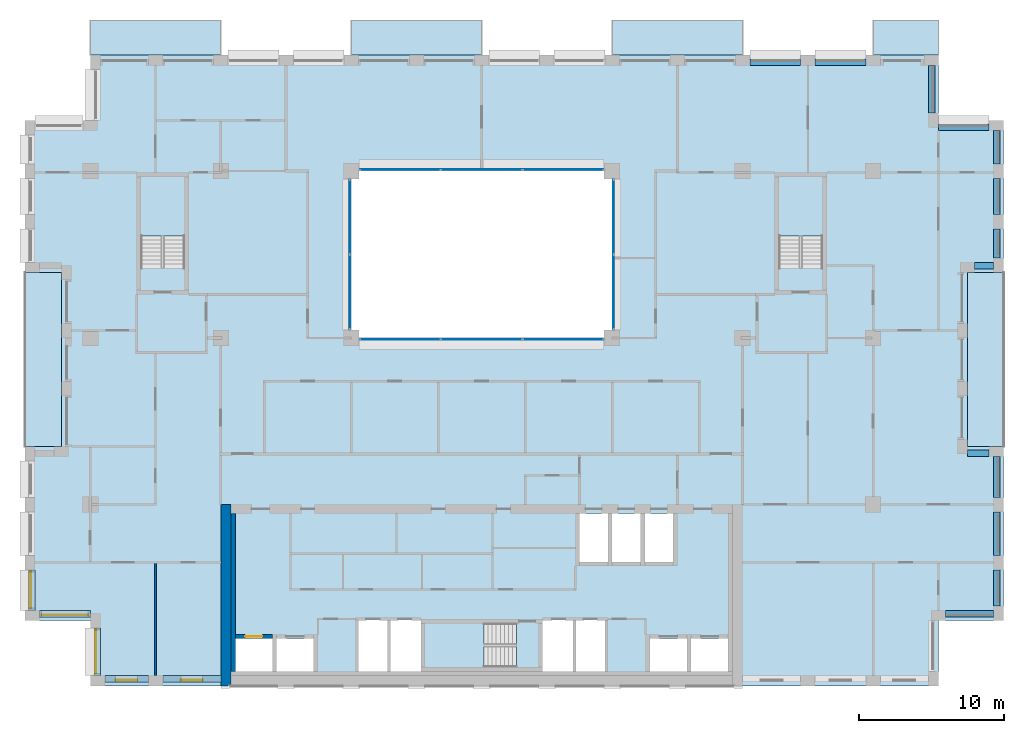
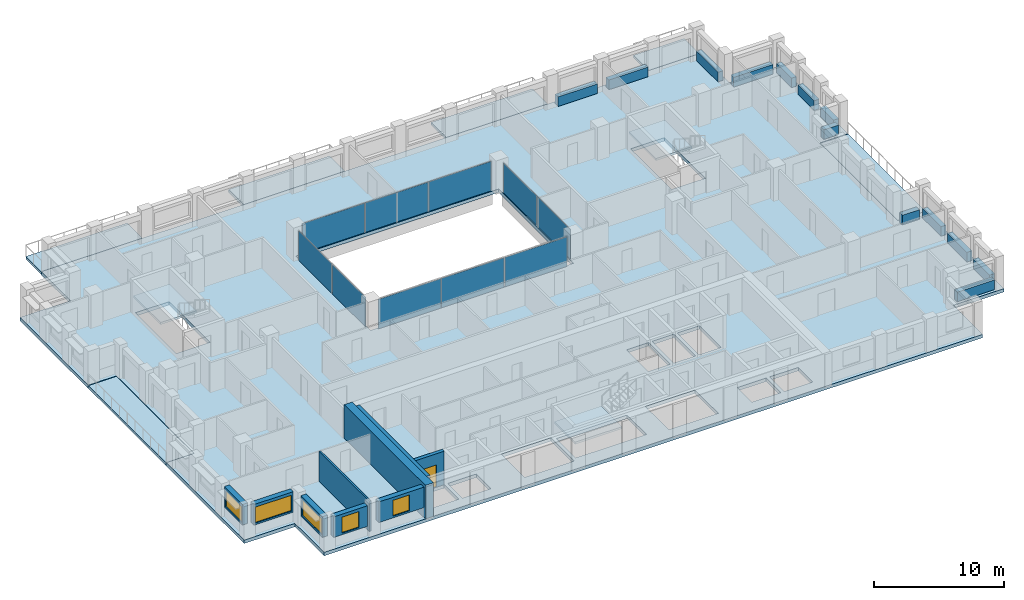
# One storey, part 7 of 16: 13 beams, 10 plates, 10 slabs, 9 walls, 5 windows, 1 door, 6 openings, 7 elements without a shape of their own.
"""IFC4 building model written with IfcOpenShell, lengths in metres."""

from ifc_helpers import new_model, si_unit, direction, frame, frame_2d, origin, origin_2d, place, context, subcontext, project, spatial, polyline, rectangle, outline, extrude, material, layer, layer_set, material_profile, profile_set, type_object, element, fill, aggregate, save


model = new_model("IFC4")

# Units and contexts
model_context = context("Model", 3, precision=1e-05, world=origin(), true_north=direction((0.0, 1.0)))
body_context = subcontext(model_context, "Body", "Model", "MODEL_VIEW")
ifc_project = project(units=[si_unit("LENGTHUNIT", "METRE"), si_unit("AREAUNIT", "SQUARE_METRE"), si_unit("VOLUMEUNIT", "CUBIC_METRE"), si_unit("PLANEANGLEUNIT", "RADIAN"), si_unit("MASSUNIT", "GRAM", prefix="KILO")], contexts=[model_context])

# Site, building, storey
site_placement = place(None, origin())
site = spatial("IfcSite", under=ifc_project, at=site_placement, CompositionType="ELEMENT")
building_placement = place(site_placement, origin())
building = spatial("IfcBuilding", under=site, at=building_placement, Name="Brigalow Station Residences", CompositionType="ELEMENT")
storey_placement = place(building_placement, frame((0.0, 0.0, 163.35009765625)))
storey = spatial("IfcBuildingStorey", under=building, at=storey_placement, Name="L47", CompositionType="ELEMENT", Elevation=163.35009765625)

# Beams
ifc_material_1 = material(Name="Concrete C50", Category="concrete")
ifc_material_profile = material_profile(ifc_material_1, rectangle(XDim=0.449951171875, YDim=0.89990234375, at=origin_2d()), Name="RC450x900")
ifc_profile_set = profile_set([ifc_material_profile], Name="Concrete C50")
beam_type = type_object("IfcBeamType", Name="SPANDREL BEAM 450x900 C50", PredefinedType="SPANDREL", material=ifc_profile_set)
beam_1_placement = place(storey_placement, frame((68.0, 4.97509765625, 0.449951171875), z_axis=(1.0, 0.0, 0.0), x_axis=(0.0, 1.0, 0.0)))
element("IfcBeam", 1, at=beam_1_placement, inside=storey, type_object=beam_type, Name="L47/spandrel/W-L47-8", PredefinedType="SPANDREL", context=body_context, shape_type="SweptSolid", body=[
    extrude(rectangle(XDim=0.449951171875, YDim=0.89990234375, at=origin_2d()), origin(), (0.0, 0.0, 1.0), 3.300048828125),
])
beam_2_placement = place(storey_placement, frame((71.52490234375, 5.5, 0.449951171875), z_axis=(0.0, 1.0, 0.0), x_axis=(-1.0, 0.0, 0.0)))
element("IfcBeam", 2, at=beam_2_placement, inside=storey, type_object=beam_type, Name="L47/spandrel/W-L47-9", PredefinedType="SPANDREL", context=body_context, shape_type="SweptSolid", body=[
    extrude(rectangle(XDim=0.449951171875, YDim=0.89990234375, at=origin_2d()), origin(), (0.0, 0.0, 1.0), 2.5),
])
beam_3_placement = place(storey_placement, frame((71.52490234375, 9.0, 0.449951171875), z_axis=(0.0, 1.0, 0.0), x_axis=(-1.0, 0.0, 0.0)))
element("IfcBeam", 3, at=beam_3_placement, inside=storey, type_object=beam_type, Name="L47/spandrel/W-L47-10", PredefinedType="SPANDREL", context=body_context, shape_type="SweptSolid", body=[
    extrude(rectangle(XDim=0.449951171875, YDim=0.89990234375, at=origin_2d()), origin(), (0.0, 0.0, 1.0), 3.0),
])
beam_4_placement = place(storey_placement, frame((71.52490234375, 13.0, 0.449951171875), z_axis=(0.0, 1.0, 0.0), x_axis=(-1.0, 0.0, 0.0)))
element("IfcBeam", 4, at=beam_4_placement, inside=storey, type_object=beam_type, Name="L47/spandrel/W-L47-11", PredefinedType="SPANDREL", context=body_context, shape_type="SweptSolid", body=[
    extrude(rectangle(XDim=0.449951171875, YDim=0.89990234375, at=origin_2d()), origin(), (0.0, 0.0, 1.0), 2.800048828125),
])
beam_5_placement = place(storey_placement, frame((71.0, 16.02490234375, 0.449951171875), z_axis=(-1.0, 0.0, 0.0), x_axis=(0.0, -1.0, 0.0)))
element("IfcBeam", 5, at=beam_5_placement, inside=storey, type_object=beam_type, Name="L47/spandrel/W-L47-12", PredefinedType="SPANDREL", context=body_context, shape_type="SweptSolid", body=[
    extrude(rectangle(XDim=0.449951171875, YDim=0.89990234375, at=origin_2d()), origin(), (0.0, 0.0, 1.0), 1.5),
])
beam_6_placement = place(storey_placement, frame((70.0, 28.97509765625, 0.449951171875), z_axis=(1.0, 0.0, 0.0), x_axis=(0.0, 1.0, 0.0)))
element("IfcBeam", 6, at=beam_6_placement, inside=storey, type_object=beam_type, Name="L47/spandrel/W-L47-16", PredefinedType="SPANDREL", context=body_context, shape_type="SweptSolid", body=[
    extrude(rectangle(XDim=0.449951171875, YDim=0.89990234375, at=origin_2d()), origin(), (0.0, 0.0, 1.0), 1.300048828125),
])
beam_7_placement = place(storey_placement, frame((71.52490234375, 29.5, 0.449951171875), z_axis=(0.0, 1.0, 0.0), x_axis=(-1.0, 0.0, 0.0)))
element("IfcBeam", 7, at=beam_7_placement, inside=storey, type_object=beam_type, Name="L47/spandrel/W-L47-17", PredefinedType="SPANDREL", context=body_context, shape_type="SweptSolid", body=[
    extrude(rectangle(XDim=0.449951171875, YDim=0.89990234375, at=origin_2d()), origin(), (0.0, 0.0, 1.0), 2.0),
])
beam_8_placement = place(storey_placement, frame((71.52490234375, 32.5, 0.449951171875), z_axis=(0.0, 1.0, 0.0), x_axis=(-1.0, 0.0, 0.0)))
element("IfcBeam", 8, at=beam_8_placement, inside=storey, type_object=beam_type, Name="L47/spandrel/W-L47-18", PredefinedType="SPANDREL", context=body_context, shape_type="SweptSolid", body=[
    extrude(rectangle(XDim=0.449951171875, YDim=0.89990234375, at=origin_2d()), origin(), (0.0, 0.0, 1.0), 2.5),
])
beam_9_placement = place(storey_placement, frame((71.52490234375, 36.0, 0.449951171875), z_axis=(0.0, 1.0, 0.0), x_axis=(-1.0, 0.0, 0.0)))
element("IfcBeam", 9, at=beam_9_placement, inside=storey, type_object=beam_type, Name="L47/spandrel/W-L47-19", PredefinedType="SPANDREL", context=body_context, shape_type="SweptSolid", body=[
    extrude(rectangle(XDim=0.449951171875, YDim=0.89990234375, at=origin_2d()), origin(), (0.0, 0.0, 1.0), 2.300048828125),
])
beam_10_placement = place(storey_placement, frame((71.0, 38.52490234375, 0.449951171875), z_axis=(-1.0, 0.0, 0.0), x_axis=(0.0, -1.0, 0.0)))
element("IfcBeam", 10, at=beam_10_placement, inside=storey, type_object=beam_type, Name="L47/spandrel/W-L47-20", PredefinedType="SPANDREL", context=body_context, shape_type="SweptSolid", body=[
    extrude(rectangle(XDim=0.449951171875, YDim=0.89990234375, at=origin_2d()), origin(), (0.0, 0.0, 1.0), 3.5),
])
beam_11_placement = place(storey_placement, frame((67.02490234375, 39.5, 0.449951171875), z_axis=(0.0, 1.0, 0.0), x_axis=(-1.0, 0.0, 0.0)))
element("IfcBeam", 11, at=beam_11_placement, inside=storey, type_object=beam_type, Name="L47/spandrel/W-L47-21", PredefinedType="SPANDREL", context=body_context, shape_type="SweptSolid", body=[
    extrude(rectangle(XDim=0.449951171875, YDim=0.89990234375, at=origin_2d()), origin(), (0.0, 0.0, 1.0), 3.300048828125),
])
for number, where, z_axis, x_axis, name in (
    (12, (62.5, 43.02490234375, 0.449951171875), (-1.0, 0.0, 0.0), (0.0, -1.0, 0.0), "L47/spandrel/W-L47-23"),
    (13, (58.0, 43.02490234375, 0.449951171875), (-1.0, 0.0, 0.0), (0.0, -1.0, 0.0), "L47/spandrel/W-L47-24"),
):
    element("IfcBeam", number, at=place(storey_placement, frame(where, z_axis=z_axis, x_axis=x_axis)), inside=storey, type_object=beam_type, Name=name, PredefinedType="SPANDREL", context=body_context, shape_type="SweptSolid", body=[
        extrude(rectangle(XDim=0.449951171875, YDim=0.89990234375, at=origin_2d()), origin(), (0.0, 0.0, 1.0), 3.5),
    ])

# Curtain wall, plates
ifc_material_2 = material(Name="Aluminium", Category="aluminium")
ifc_layer_1 = layer(ifc_material_2, 0.14990234375)
ifc_layer_set_1 = layer_set([ifc_layer_1], Name="ATRIUM FIRE-RATED GLAZING CURTAIN WALL")
curtain_wall_type = type_object("IfcCurtainWallType", Name="ATRIUM FIRE-RATED GLAZING CURTAIN WALL", PredefinedType="NOTDEFINED", material=ifc_layer_set_1)
curtain_wall_1_placement = place(storey_placement, origin())
curtain_wall_1 = element("IfcCurtainWall", 14, at=curtain_wall_1_placement, inside=storey, type_object=curtain_wall_type, Name="L47/cw/atrium-S", PredefinedType="NOTDEFINED")
ifc_material_3 = material(Name="Fire-resisting laminated glazing, FRL -/60/-", Category="glass")
ifc_layer_2 = layer(ifc_material_3, 0.031982421875)
ifc_layer_set_2 = layer_set([ifc_layer_2], Name="ATRIUM FIRE-RATED GLAZING PANEL 32")
plate_type = type_object("IfcPlateType", Name="ATRIUM FIRE-RATED GLAZING PANEL 32", PredefinedType="CURTAIN_PANEL", material=ifc_layer_set_2)
plate_1_placement = place(storey_placement, frame((30.381591796875, 23.89990234375, 0.0), z_axis=(0.0, 0.0, 1.0), x_axis=(1.0, 0.0, 0.0)))
plate_1 = element("IfcPlate", 15, at=plate_1_placement, type_object=plate_type, Name="L47/cw/atrium-S/P00-00", PredefinedType="CURTAIN_PANEL", context=body_context, shape_type="SweptSolid", body=[
    extrude(rectangle(XDim=5.543212890625, YDim=0.031982421875, at=origin_2d()), origin(), (0.0, 0.0, 1.0), 2.77001953125),
])
plate_2_placement = place(storey_placement, frame((36.0, 23.89990234375, 0.0), z_axis=(0.0, 0.0, 1.0), x_axis=(1.0, 0.0, 0.0)))
plate_2 = element("IfcPlate", 16, at=plate_2_placement, type_object=plate_type, Name="L47/cw/atrium-S/P01-00", PredefinedType="CURTAIN_PANEL", context=body_context, shape_type="SweptSolid", body=[
    extrude(rectangle(XDim=5.5732421875, YDim=0.031982421875, at=origin_2d()), origin(), (0.0, 0.0, 1.0), 2.77001953125),
])
plate_3_placement = place(storey_placement, frame((41.618408203125, 23.89990234375, 0.0), z_axis=(0.0, 0.0, 1.0), x_axis=(1.0, 0.0, 0.0)))
plate_3 = element("IfcPlate", 17, at=plate_3_placement, type_object=plate_type, Name="L47/cw/atrium-S/P02-00", PredefinedType="CURTAIN_PANEL", context=body_context, shape_type="SweptSolid", body=[
    extrude(rectangle(XDim=5.543212890625, YDim=0.031982421875, at=origin_2d()), origin(), (0.0, 0.0, 1.0), 2.77001953125),
])
aggregate(curtain_wall_1, [plate_1, plate_2, plate_3])

curtain_wall_2_placement = place(storey_placement, origin())
curtain_wall_2 = element("IfcCurtainWall", 18, at=curtain_wall_2_placement, inside=storey, type_object=curtain_wall_type, Name="L47/cw/atrium-E", PredefinedType="NOTDEFINED")
plate_4_placement = place(storey_placement, frame((45.10009765625, 27.1650390625, 0.0), z_axis=(0.0, 0.0, 1.0), x_axis=(0.0, 1.0, 0.0)))
plate_4 = element("IfcPlate", 19, at=plate_4_placement, type_object=plate_type, Name="L47/cw/atrium-E/P00-00", PredefinedType="CURTAIN_PANEL", context=body_context, shape_type="SweptSolid", body=[
    extrude(rectangle(XDim=5.110107421875, YDim=0.031982421875, at=origin_2d()), origin(), (0.0, 0.0, 1.0), 2.77001953125),
])
plate_5_placement = place(storey_placement, frame((45.10009765625, 32.3349609375, 0.0), z_axis=(0.0, 0.0, 1.0), x_axis=(0.0, 1.0, 0.0)))
plate_5 = element("IfcPlate", 20, at=plate_5_placement, type_object=plate_type, Name="L47/cw/atrium-E/P01-00", PredefinedType="CURTAIN_PANEL", context=body_context, shape_type="SweptSolid", body=[
    extrude(rectangle(XDim=5.110107421875, YDim=0.031982421875, at=origin_2d()), origin(), (0.0, 0.0, 1.0), 2.77001953125),
])
aggregate(curtain_wall_2, [plate_4, plate_5])

curtain_wall_3_placement = place(storey_placement, origin())
curtain_wall_3 = element("IfcCurtainWall", 21, at=curtain_wall_3_placement, inside=storey, type_object=curtain_wall_type, Name="L47/cw/atrium-N", PredefinedType="NOTDEFINED")
plate_6_placement = place(storey_placement, frame((41.618408203125, 35.60009765625, 0.0), z_axis=(0.0, 0.0, 1.0), x_axis=(-1.0, 0.0, 0.0)))
plate_6 = element("IfcPlate", 22, at=plate_6_placement, type_object=plate_type, Name="L47/cw/atrium-N/P00-00", PredefinedType="CURTAIN_PANEL", context=body_context, shape_type="SweptSolid", body=[
    extrude(rectangle(XDim=5.543212890625, YDim=0.031982421875, at=origin_2d()), origin(), (0.0, 0.0, 1.0), 2.77001953125),
])
plate_7_placement = place(storey_placement, frame((36.0, 35.60009765625, 0.0), z_axis=(0.0, 0.0, 1.0), x_axis=(-1.0, 0.0, 0.0)))
plate_7 = element("IfcPlate", 23, at=plate_7_placement, type_object=plate_type, Name="L47/cw/atrium-N/P01-00", PredefinedType="CURTAIN_PANEL", context=body_context, shape_type="SweptSolid", body=[
    extrude(rectangle(XDim=5.5732421875, YDim=0.031982421875, at=origin_2d()), origin(), (0.0, 0.0, 1.0), 2.77001953125),
])
plate_8_placement = place(storey_placement, frame((30.381591796875, 35.60009765625, 0.0), z_axis=(0.0, 0.0, 1.0), x_axis=(-1.0, 0.0, 0.0)))
plate_8 = element("IfcPlate", 24, at=plate_8_placement, type_object=plate_type, Name="L47/cw/atrium-N/P02-00", PredefinedType="CURTAIN_PANEL", context=body_context, shape_type="SweptSolid", body=[
    extrude(rectangle(XDim=5.543212890625, YDim=0.031982421875, at=origin_2d()), origin(), (0.0, 0.0, 1.0), 2.77001953125),
])
aggregate(curtain_wall_3, [plate_6, plate_7, plate_8])

curtain_wall_4_placement = place(storey_placement, origin())
curtain_wall_4 = element("IfcCurtainWall", 25, at=curtain_wall_4_placement, inside=storey, type_object=curtain_wall_type, Name="L47/cw/atrium-W", PredefinedType="NOTDEFINED")
plate_9_placement = place(storey_placement, frame((26.89990234375, 32.3349609375, 0.0), z_axis=(0.0, 0.0, 1.0), x_axis=(0.0, -1.0, 0.0)))
plate_9 = element("IfcPlate", 26, at=plate_9_placement, type_object=plate_type, Name="L47/cw/atrium-W/P00-00", PredefinedType="CURTAIN_PANEL", context=body_context, shape_type="SweptSolid", body=[
    extrude(rectangle(XDim=5.110107421875, YDim=0.031982421875, at=origin_2d()), origin(), (0.0, 0.0, 1.0), 2.77001953125),
])
plate_10_placement = place(storey_placement, frame((26.89990234375, 27.1650390625, 0.0), z_axis=(0.0, 0.0, 1.0), x_axis=(0.0, -1.0, 0.0)))
plate_10 = element("IfcPlate", 27, at=plate_10_placement, type_object=plate_type, Name="L47/cw/atrium-W/P01-00", PredefinedType="CURTAIN_PANEL", context=body_context, shape_type="SweptSolid", body=[
    extrude(rectangle(XDim=5.110107421875, YDim=0.031982421875, at=origin_2d()), origin(), (0.0, 0.0, 1.0), 2.77001953125),
])
aggregate(curtain_wall_4, [plate_9, plate_10])

# Slabs
ifc_material_4 = material(Name="Concrete C50 precast", Category="concrete")
ifc_layer_3 = layer(ifc_material_4, 0.25)
ifc_layer_set_3 = layer_set([ifc_layer_3], Name="BALCONY SLAB 250")
slab_type_1 = type_object("IfcSlabType", Name="BALCONY SLAB 250", PredefinedType="USERDEFINED", material=ifc_layer_set_3)
slab_1_placement = place(storey_placement, frame((0.0, 0.0, -0.2900390625)))
element("IfcSlab", 28, at=slab_1_placement, inside=storey, type_object=slab_type_1, Name="L47/balcony/1", ObjectType="BALCONY", PredefinedType="USERDEFINED", context=body_context, shape_type="SweptSolid", body=[
    extrude(outline(polyline([(69.5, 16.5), (72.0, 16.5), (72.0, 28.5), (69.5, 28.5), (69.5, 16.5)])), origin(), (0.0, 0.0, 1.0), 0.25),
])
slab_2_placement = place(storey_placement, frame((0.0, 0.0, -0.2900390625)))
element("IfcSlab", 29, at=slab_2_placement, inside=storey, type_object=slab_type_1, Name="L47/balcony/2", ObjectType="BALCONY", PredefinedType="USERDEFINED", context=body_context, shape_type="SweptSolid", body=[
    extrude(outline(polyline([(67.5, 43.5), (67.5, 45.89990234375), (63.0, 45.89990234375), (63.0, 43.5), (67.5, 43.5)])), origin(), (0.0, 0.0, 1.0), 0.25),
])
slab_3_placement = place(storey_placement, frame((0.0, 0.0, -0.2900390625)))
element("IfcSlab", 30, at=slab_3_placement, inside=storey, type_object=slab_type_1, Name="L47/balcony/3", ObjectType="BALCONY", PredefinedType="USERDEFINED", context=body_context, shape_type="SweptSolid", body=[
    extrude(outline(polyline([(54.0, 43.5), (54.0, 45.89990234375), (45.0, 45.89990234375), (45.0, 43.5), (54.0, 43.5)])), origin(), (0.0, 0.0, 1.0), 0.25),
])
slab_4_placement = place(storey_placement, frame((0.0, 0.0, -0.2900390625)))
element("IfcSlab", 31, at=slab_4_placement, inside=storey, type_object=slab_type_1, Name="L47/balcony/4", ObjectType="BALCONY", PredefinedType="USERDEFINED", context=body_context, shape_type="SweptSolid", body=[
    extrude(outline(polyline([(36.0, 43.5), (36.0, 45.89990234375), (27.0, 45.89990234375), (27.0, 43.5), (36.0, 43.5)])), origin(), (0.0, 0.0, 1.0), 0.25),
])
slab_5_placement = place(storey_placement, frame((0.0, 0.0, -0.2900390625)))
element("IfcSlab", 32, at=slab_5_placement, inside=storey, type_object=slab_type_1, Name="L47/balcony/5", ObjectType="BALCONY", PredefinedType="USERDEFINED", context=body_context, shape_type="SweptSolid", body=[
    extrude(outline(polyline([(18.0, 43.5), (18.0, 45.89990234375), (9.0, 45.89990234375), (9.0, 43.5), (18.0, 43.5)])), origin(), (0.0, 0.0, 1.0), 0.25),
])
slab_6_placement = place(storey_placement, frame((0.0, 0.0, -0.2900390625)))
element("IfcSlab", 33, at=slab_6_placement, inside=storey, type_object=slab_type_1, Name="L47/balcony/6", ObjectType="BALCONY", PredefinedType="USERDEFINED", context=body_context, shape_type="SweptSolid", body=[
    extrude(outline(polyline([(7.0, 28.5), (4.5, 28.5), (4.5, 16.5), (7.0, 16.5), (7.0, 28.5)])), origin(), (0.0, 0.0, 1.0), 0.25),
])
ifc_material_5 = material(Name="Concrete C50", Category="concrete")
ifc_layer_4 = layer(ifc_material_5, 0.320068359375)
ifc_layer_set_4 = layer_set([ifc_layer_4], Name="POST-TENSIONED FLAT PLATE 320 C50")
slab_type_2 = type_object("IfcSlabType", Name="POST-TENSIONED FLAT PLATE 320 C50", PredefinedType="FLOOR", material=ifc_layer_set_4)
slab_7_placement = place(storey_placement, frame((0.0, 0.0, -0.320068359375)))
element("IfcSlab", 34, at=slab_7_placement, inside=storey, type_object=slab_type_2, Name="FLOOR SLAB L47", PredefinedType="FLOOR", context=body_context, shape_type="SweptSolid", body=[
    extrude(outline(polyline([(9.0, 0.0), (67.5, 0.0), (67.5, 4.5), (72.0, 4.5), (72.0, 16.5), (69.5, 16.5), (69.5, 28.5), (72.0, 28.5), (72.0, 39.0), (67.5, 39.0), (67.5, 43.5), (9.0, 43.5), (9.0, 39.0), (4.5, 39.0), (4.5, 28.5), (7.0, 28.5), (7.0, 16.5), (4.5, 16.5), (4.5, 4.5), (9.0, 4.5), (9.0, 0.0)]), holes=[polyline([(12.5048828125, 35.094970703125), (15.4951171875, 35.094970703125), (15.4951171875, 28.804931640625), (12.5048828125, 28.804931640625), (12.5048828125, 35.094970703125)]), polyline([(19.0, 1.0), (19.0, 3.25), (21.550048828125, 3.25), (21.550048828125, 1.0), (19.0, 1.0)]), polyline([(21.85009765625, 3.25), (24.39990234375, 3.25), (24.39990234375, 1.0), (21.85009765625, 1.0), (21.85009765625, 3.25)]), polyline([(27.0, 35.5), (45.0, 35.5), (45.0, 24.0), (27.0, 24.0), (27.0, 35.5)]), polyline([(29.60009765625, 4.60009765625), (31.800048828125, 4.60009765625), (31.800048828125, 1.0), (29.60009765625, 1.0), (27.39990234375, 1.0), (27.39990234375, 4.60009765625), (29.60009765625, 4.60009765625)]), polyline([(32.10498046875, 4.294921875), (38.39501953125, 4.294921875), (38.39501953125, 1.304931640625), (32.10498046875, 1.304931640625), (32.10498046875, 4.294921875)]), polyline([(40.199951171875, 4.60009765625), (42.39990234375, 4.60009765625), (44.60009765625, 4.60009765625), (44.60009765625, 1.0), (42.39990234375, 1.0), (40.199951171875, 1.0), (40.199951171875, 4.60009765625)]), polyline([(42.75, 11.89990234375), (44.699951171875, 11.89990234375), (44.699951171875, 8.550048828125), (42.75, 8.550048828125), (42.75, 11.89990234375)]), polyline([(45.0, 11.89990234375), (46.949951171875, 11.89990234375), (46.949951171875, 8.550048828125), (45.0, 8.550048828125), (45.0, 11.89990234375)]), polyline([(47.25, 11.89990234375), (49.199951171875, 11.89990234375), (49.199951171875, 8.550048828125), (47.25, 8.550048828125), (47.25, 11.89990234375)]), polyline([(47.60009765625, 3.25), (50.14990234375, 3.25), (50.14990234375, 1.0), (47.60009765625, 1.0), (47.60009765625, 3.25)]), polyline([(50.449951171875, 3.25), (53.0, 3.25), (53.0, 1.0), (50.449951171875, 1.0), (50.449951171875, 3.25)]), polyline([(56.5048828125, 35.094970703125), (59.4951171875, 35.094970703125), (59.4951171875, 28.804931640625), (56.5048828125, 28.804931640625), (56.5048828125, 35.094970703125)])]), origin(), (0.0, 0.0, 1.0), 0.320068359375),
])

# Stair, slab
ifc_material_6 = material(Name="Concrete C50", Category="concrete")
stair_type = type_object("IfcStairType", Name="EXIT STAIR 1400 2 FLIGHT", PredefinedType="HALF_TURN_STAIR", material=ifc_material_6)
stair_1_placement = place(storey_placement, origin())
stair_1 = element("IfcStair", 35, at=stair_1_placement, inside=storey, type_object=stair_type, Name="EXIT STAIR S2 L47", PredefinedType="HALF_TURN_STAIR")
ifc_material_7 = material(Name="Concrete C50", Category="concrete")
ifc_layer_5 = layer(ifc_material_7, 0.199951171875)
ifc_layer_set_5 = layer_set([ifc_layer_5], Name="STAIR LANDING 200")
slab_type_3 = type_object("IfcSlabType", Name="STAIR LANDING 200", PredefinedType="LANDING", material=ifc_layer_set_5)
slab_8_placement = place(storey_placement, frame((0.0, 0.0, 1.375)))
slab_8 = element("IfcSlab", 36, at=slab_8_placement, type_object=slab_type_3, Name="ST-2 landing 1", PredefinedType="LANDING", context=body_context, shape_type="SweptSolid", body=[
    extrude(outline(polyline([(32.0, 1.199951171875), (36.159912109375, 1.199951171875), (36.159912109375, 4.39990234375), (32.0, 4.39990234375), (32.0, 1.199951171875)])), origin(), (0.0, 0.0, 1.0), 0.199951171875),
])
aggregate(stair_1, [slab_8])

stair_2_placement = place(storey_placement, origin())
stair_2 = element("IfcStair", 37, at=stair_2_placement, inside=storey, type_object=stair_type, Name="EXIT STAIR S1 L47", PredefinedType="HALF_TURN_STAIR")
slab_9_placement = place(storey_placement, frame((0.0, 0.0, 1.375)))
slab_9 = element("IfcSlab", 38, at=slab_9_placement, type_object=slab_type_3, Name="ST-1 landing 1", PredefinedType="LANDING", context=body_context, shape_type="SweptSolid", body=[
    extrude(outline(polyline([(12.39990234375, 31.0400390625), (15.60009765625, 31.0400390625), (15.60009765625, 35.199951171875), (12.39990234375, 35.199951171875), (12.39990234375, 31.0400390625)])), origin(), (0.0, 0.0, 1.0), 0.199951171875),
])
aggregate(stair_2, [slab_9])

stair_3_placement = place(storey_placement, origin())
stair_3 = element("IfcStair", 39, at=stair_3_placement, inside=storey, type_object=stair_type, Name="EXIT STAIR S3 L47", PredefinedType="HALF_TURN_STAIR")
slab_10_placement = place(storey_placement, frame((0.0, 0.0, 1.375)))
slab_10 = element("IfcSlab", 40, at=slab_10_placement, type_object=slab_type_3, Name="ST-3 landing 1", PredefinedType="LANDING", context=body_context, shape_type="SweptSolid", body=[
    extrude(outline(polyline([(56.39990234375, 31.0400390625), (59.60009765625, 31.0400390625), (59.60009765625, 35.199951171875), (56.39990234375, 35.199951171875), (56.39990234375, 31.0400390625)])), origin(), (0.0, 0.0, 1.0), 0.199951171875),
])
aggregate(stair_3, [slab_10])

# Wall, opening, window
ifc_material_8 = material(Name="Clay brick masonry", Category="masonry")
ifc_layer_6 = layer(ifc_material_8, 0.449951171875)
ifc_layer_set_6 = layer_set([ifc_layer_6], Name="BRICK INFILL WALL 450")
wall_type_1 = type_object("IfcWallType", Name="BRICK INFILL WALL 450", PredefinedType="SOLIDWALL", material=ifc_layer_set_6)
wall_1_placement = place(storey_placement, frame((10.0, 0.47509765625, 0.89990234375), z_axis=(0.0, 0.0, 1.0), x_axis=(1.0, 0.0, 0.0)))
wall_1 = element("IfcWall", 41, at=wall_1_placement, inside=storey, type_object=wall_type_1, Name="L47/ewall/W-L47-1", PredefinedType="SOLIDWALL", context=body_context, shape_type="SweptSolid", body=[
    extrude(rectangle(XDim=3.0, YDim=0.449951171875, at=frame_2d((1.5, 0.0))), origin(), (0.0, 0.0, 1.0), 1.929931640625),
])
opening_1_placement = place(wall_1_placement, frame((0.75, 0.0, 0.14990234375)))
opening_1 = element("IfcOpeningElement", 42, at=opening_1_placement, cuts=wall_1, Name="Opening WT-1", PredefinedType="OPENING", context=body_context, shape_type="SweptSolid", body=[
    extrude(rectangle(XDim=1.5, YDim=1.5, at=frame_2d((0.75, 0.75))), frame((0.0, 0.23486328125, 0.0), z_axis=(0.0, -1.0, 0.0), x_axis=(1.0, 0.0, 0.0)), (0.0, 0.0, 1.0), 0.469970703125),
])
ifc_material_9 = material(Name="Anodised aluminium frame with double glazing", Category="aluminium")
window_type_1 = type_object("IfcWindowType", Name="WINDOW 1500x1500", PartitioningType="SINGLE_PANEL", PredefinedType="WINDOW", material=ifc_material_9)
window_1_placement = place(opening_1_placement, origin())
window_1 = element("IfcWindow", 43, at=window_1_placement, inside=storey, type_object=window_type_1, Name="L47/window/W-L47-1", OverallHeight=1.5, OverallWidth=1.5, PartitioningType="SINGLE_PANEL", PredefinedType="WINDOW", context=body_context, shape_type="SweptSolid", body=[
    extrude(rectangle(XDim=1.5, YDim=1.5, at=frame_2d((0.75, 0.75))), frame((0.0, -0.06494140625, 0.0), z_axis=(0.0, -1.0, 0.0), x_axis=(1.0, 0.0, 0.0)), (0.0, 0.0, 1.0), 0.06005859375),
])
fill(opening_1, window_1)

wall_2_placement = place(storey_placement, frame((14.0, 0.47509765625, 0.89990234375), z_axis=(0.0, 0.0, 1.0), x_axis=(1.0, 0.0, 0.0)))
wall_2 = element("IfcWall", 44, at=wall_2_placement, inside=storey, type_object=wall_type_1, Name="L47/ewall/W-L47-2", PredefinedType="SOLIDWALL", context=body_context, shape_type="SweptSolid", body=[
    extrude(rectangle(XDim=4.0, YDim=0.449951171875, at=frame_2d((2.0, 0.0))), origin(), (0.0, 0.0, 1.0), 1.929931640625),
])
opening_2_placement = place(wall_2_placement, frame((1.25, 0.0, 0.14990234375)))
opening_2 = element("IfcOpeningElement", 45, at=opening_2_placement, cuts=wall_2, Name="Opening WT-1", PredefinedType="OPENING", context=body_context, shape_type="SweptSolid", body=[
    extrude(rectangle(XDim=1.5, YDim=1.5, at=frame_2d((0.75, 0.75))), frame((0.0, 0.23486328125, 0.0), z_axis=(0.0, -1.0, 0.0), x_axis=(1.0, 0.0, 0.0)), (0.0, 0.0, 1.0), 0.469970703125),
])
window_2_placement = place(opening_2_placement, origin())
window_2 = element("IfcWindow", 46, at=window_2_placement, inside=storey, type_object=window_type_1, Name="L47/window/W-L47-2", OverallHeight=1.5, OverallWidth=1.5, PartitioningType="SINGLE_PANEL", PredefinedType="WINDOW", context=body_context, shape_type="SweptSolid", body=[
    extrude(rectangle(XDim=1.5, YDim=1.5, at=frame_2d((0.75, 0.75))), frame((0.0, -0.06494140625, 0.0), z_axis=(0.0, -1.0, 0.0), x_axis=(1.0, 0.0, 0.0)), (0.0, 0.0, 1.0), 0.06005859375),
])
fill(opening_2, window_2)

wall_3_placement = place(storey_placement, frame((4.97509765625, 8.0, 0.89990234375), z_axis=(0.0, 0.0, 1.0), x_axis=(0.0, -1.0, 0.0)))
wall_3 = element("IfcWall", 47, at=wall_3_placement, inside=storey, type_object=wall_type_1, Name="L47/ewall/W-L47-47", PredefinedType="SOLIDWALL", context=body_context, shape_type="SweptSolid", body=[
    extrude(rectangle(XDim=2.800048828125, YDim=0.449951171875, at=frame_2d((1.39990234375, 0.0))), origin(), (0.0, 0.0, 1.0), 1.929931640625),
])
opening_3_placement = place(wall_3_placement, frame((0.14990234375, 0.0, 0.14990234375)))
opening_3 = element("IfcOpeningElement", 48, at=opening_3_placement, cuts=wall_3, Name="Opening WT-5", PredefinedType="OPENING", context=body_context, shape_type="SweptSolid", body=[
    extrude(rectangle(XDim=2.5, YDim=1.5, at=frame_2d((1.25, 0.75))), frame((0.0, 0.23486328125, 0.0), z_axis=(0.0, -1.0, 0.0), x_axis=(1.0, 0.0, 0.0)), (0.0, 0.0, 1.0), 0.469970703125),
])
ifc_material_10 = material(Name="Anodised aluminium frame with double glazing", Category="aluminium")
window_type_2 = type_object("IfcWindowType", Name="WINDOW 2500x1500", PartitioningType="SINGLE_PANEL", PredefinedType="WINDOW", material=ifc_material_10)
window_3_placement = place(opening_3_placement, origin())
window_3 = element("IfcWindow", 49, at=window_3_placement, inside=storey, type_object=window_type_2, Name="L47/window/W-L47-47", OverallHeight=1.5, OverallWidth=2.5, PartitioningType="SINGLE_PANEL", PredefinedType="WINDOW", context=body_context, shape_type="SweptSolid", body=[
    extrude(rectangle(XDim=2.5, YDim=1.5, at=frame_2d((1.25, 0.75))), frame((0.0, -0.06494140625, 0.0), z_axis=(0.0, -1.0, 0.0), x_axis=(1.0, 0.0, 0.0)), (0.0, 0.0, 1.0), 0.06005859375),
])
fill(opening_3, window_3)

wall_4_placement = place(storey_placement, frame((5.5, 4.97509765625, 0.89990234375), z_axis=(0.0, 0.0, 1.0), x_axis=(1.0, 0.0, 0.0)))
wall_4 = element("IfcWall", 50, at=wall_4_placement, inside=storey, type_object=wall_type_1, Name="L47/ewall/W-L47-48", PredefinedType="SOLIDWALL", context=body_context, shape_type="SweptSolid", body=[
    extrude(rectangle(XDim=3.5, YDim=0.449951171875, at=frame_2d((1.75, 0.0))), origin(), (0.0, 0.0, 1.0), 1.929931640625),
])
opening_4_placement = place(wall_4_placement, frame((0.14990234375, 0.0, 0.14990234375)))
opening_4 = element("IfcOpeningElement", 51, at=opening_4_placement, cuts=wall_4, Name="Opening WT-9", PredefinedType="OPENING", context=body_context, shape_type="SweptSolid", body=[
    extrude(rectangle(XDim=3.199951171875, YDim=1.5, at=frame_2d((1.60009765625, 0.75))), frame((0.0, 0.23486328125, 0.0), z_axis=(0.0, -1.0, 0.0), x_axis=(1.0, 0.0, 0.0)), (0.0, 0.0, 1.0), 0.469970703125),
])
ifc_material_11 = material(Name="Anodised aluminium frame with double glazing", Category="aluminium")
window_type_3 = type_object("IfcWindowType", Name="WINDOW 3200x1500", PartitioningType="SINGLE_PANEL", PredefinedType="WINDOW", material=ifc_material_11)
window_4_placement = place(opening_4_placement, origin())
window_4 = element("IfcWindow", 52, at=window_4_placement, inside=storey, type_object=window_type_3, Name="L47/window/W-L47-48", OverallHeight=1.5, OverallWidth=3.199951171875, PartitioningType="SINGLE_PANEL", PredefinedType="WINDOW", context=body_context, shape_type="SweptSolid", body=[
    extrude(rectangle(XDim=3.199951171875, YDim=1.5, at=frame_2d((1.60009765625, 0.75))), frame((0.0, -0.06494140625, 0.0), z_axis=(0.0, -1.0, 0.0), x_axis=(1.0, 0.0, 0.0)), (0.0, 0.0, 1.0), 0.06005859375),
])
fill(opening_4, window_4)

wall_5_placement = place(storey_placement, frame((9.47509765625, 4.0, 0.89990234375), z_axis=(0.0, 0.0, 1.0), x_axis=(0.0, -1.0, 0.0)))
wall_5 = element("IfcWall", 53, at=wall_5_placement, inside=storey, type_object=wall_type_1, Name="L47/ewall/W-L47-49", PredefinedType="SOLIDWALL", context=body_context, shape_type="SweptSolid", body=[
    extrude(rectangle(XDim=3.300048828125, YDim=0.449951171875, at=frame_2d((1.64990234375, 0.0))), origin(), (0.0, 0.0, 1.0), 1.929931640625),
])
opening_5_placement = place(wall_5_placement, frame((0.14990234375, 0.0, 0.14990234375)))
opening_5 = element("IfcOpeningElement", 54, at=opening_5_placement, cuts=wall_5, Name="Opening WT-2", PredefinedType="OPENING", context=body_context, shape_type="SweptSolid", body=[
    extrude(rectangle(XDim=3.0, YDim=1.5, at=frame_2d((1.5, 0.75))), frame((0.0, 0.23486328125, 0.0), z_axis=(0.0, -1.0, 0.0), x_axis=(1.0, 0.0, 0.0)), (0.0, 0.0, 1.0), 0.469970703125),
])
ifc_material_12 = material(Name="Anodised aluminium frame with double glazing", Category="aluminium")
window_type_4 = type_object("IfcWindowType", Name="WINDOW 3000x1500", PartitioningType="SINGLE_PANEL", PredefinedType="WINDOW", material=ifc_material_12)
window_5_placement = place(opening_5_placement, origin())
window_5 = element("IfcWindow", 55, at=window_5_placement, inside=storey, type_object=window_type_4, Name="L47/window/W-L47-49", OverallHeight=1.5, OverallWidth=3.0, PartitioningType="SINGLE_PANEL", PredefinedType="WINDOW", context=body_context, shape_type="SweptSolid", body=[
    extrude(rectangle(XDim=3.0, YDim=1.5, at=frame_2d((1.5, 0.75))), frame((0.0, -0.06494140625, 0.0), z_axis=(0.0, -1.0, 0.0), x_axis=(1.0, 0.0, 0.0)), (0.0, 0.0, 1.0), 0.06005859375),
])
fill(opening_5, window_5)

# Wall
ifc_material_13 = material(Name="Concrete C65", Category="concrete")
ifc_layer_7 = layer(ifc_material_13, 0.300048828125)
ifc_layer_set_7 = layer_set([ifc_layer_7], Name="CORE SHEAR WALL 300 C65")
wall_type_2 = type_object("IfcWallType", Name="CORE SHEAR WALL 300 C65", PredefinedType="SHEAR", material=ifc_layer_set_7)
wall_6_placement = place(storey_placement, frame((18.85009765625, 1.0, 0.0), z_axis=(0.0, 0.0, 1.0), x_axis=(0.0, 1.0, 0.0)))
element("IfcWall", 56, at=wall_6_placement, inside=storey, type_object=wall_type_2, Name="CORE WALL LIN-W L47", PredefinedType="SHEAR", context=body_context, shape_type="SweptSolid", body=[
    extrude(rectangle(XDim=10.89990234375, YDim=0.300048828125, at=frame_2d((5.449951171875, 0.0))), origin(), (0.0, 0.0, 1.0), 3.14990234375),
])

# Wall, opening, door
wall_7_placement = place(storey_placement, frame((19.0, 3.39990234375, 0.0), z_axis=(0.0, 0.0, 1.0), x_axis=(1.0, 0.0, 0.0)))
wall_7 = element("IfcWall", 57, at=wall_7_placement, inside=storey, type_object=wall_type_2, Name="CORE WALL SH-C1-N L47", PredefinedType="SHEAR", context=body_context, shape_type="SweptSolid", body=[
    extrude(rectangle(XDim=2.550048828125, YDim=0.300048828125, at=frame_2d((1.27490234375, 0.0))), origin(), (0.0, 0.0, 1.0), 3.14990234375),
])
opening_6_placement = place(wall_7_placement, frame((0.675048828125, 0.0, 0.0)))
opening_6 = element("IfcOpeningElement", 58, at=opening_6_placement, cuts=wall_7, Name="Opening LD-LB1", PredefinedType="OPENING", context=body_context, shape_type="SweptSolid", body=[
    extrude(rectangle(XDim=1.199951171875, YDim=2.10009765625, at=frame_2d((0.60009765625, 1.050048828125))), frame((0.0, 0.16015625, 0.0), z_axis=(0.0, -1.0, 0.0), x_axis=(1.0, 0.0, 0.0)), (0.0, 0.0, 1.0), 0.320068359375),
])
ifc_material_14 = material(Name="Stainless steel sliding door leaves", Category="steel")
door_type = type_object("IfcDoorType", Name="LIFT LANDING DOOR 1200 x 2100", OperationType="DOUBLE_DOOR_SLIDING", PredefinedType="DOOR", material=ifc_material_14)
door_placement = place(opening_6_placement, origin())
door = element("IfcDoor", 59, at=door_placement, inside=storey, type_object=door_type, Name="LANDING DOOR LB1", OperationType="DOUBLE_DOOR_SLIDING", OverallHeight=2.10009765625, OverallWidth=1.199951171875, PredefinedType="DOOR", context=body_context, shape_type="SweptSolid", body=[
    extrude(rectangle(XDim=1.199951171875, YDim=2.10009765625, at=frame_2d((0.60009765625, 1.050048828125))), frame((0.0, 0.02490234375, 0.0), z_axis=(0.0, -1.0, 0.0), x_axis=(1.0, 0.0, 0.0)), (0.0, 0.0, 1.0), 0.050048828125),
])
fill(opening_6, door)

# Walls
ifc_material_15 = material(Name="Concrete C65", Category="concrete")
ifc_layer_8 = layer(ifc_material_15, 0.699951171875)
ifc_layer_set_8 = layer_set([ifc_layer_8], Name="CORE SHEAR WALL 700 C65")
wall_type_3 = type_object("IfcWallType", Name="CORE SHEAR WALL 700 C65", PredefinedType="SHEAR", material=ifc_layer_set_8)
wall_8_placement = place(storey_placement, frame((18.35009765625, 0.0, 0.0), z_axis=(0.0, 0.0, 1.0), x_axis=(0.0, 1.0, 0.0)))
element("IfcWall", 60, at=wall_8_placement, inside=storey, type_object=wall_type_3, Name="CORE WALL OUT-W L47", PredefinedType="SHEAR", context=body_context, shape_type="SweptSolid", body=[
    extrude(rectangle(XDim=12.5, YDim=0.699951171875, at=frame_2d((6.25, 0.0))), origin(), (0.0, 0.0, 1.0), 3.14990234375),
])
ifc_material_16 = material(Name="Plasterboard on steel stud partition", Category="steel")
ifc_layer_9 = layer(ifc_material_16, 0.14990234375)
ifc_layer_set_9 = layer_set([ifc_layer_9], Name="FLAT PARTITION 150")
wall_type_4 = type_object("IfcWallType", Name="FLAT PARTITION 150", PredefinedType="PARTITIONING", material=ifc_layer_set_9)
wall_9_placement = place(storey_placement, frame((13.5, 0.699951171875, 0.0), z_axis=(0.0, 0.0, 1.0), x_axis=(0.0, 1.0, 0.0)))
element("IfcWall", 61, at=wall_9_placement, inside=storey, type_object=wall_type_4, Name="PW-3C36", PredefinedType="PARTITIONING", context=body_context, shape_type="SweptSolid", body=[
    extrude(rectangle(XDim=7.72509765625, YDim=0.14990234375, at=frame_2d((3.862548828125, 0.0))), origin(), (0.0, 0.0, 1.0), 2.829833984375),
])

save(model, "model.ifc")
